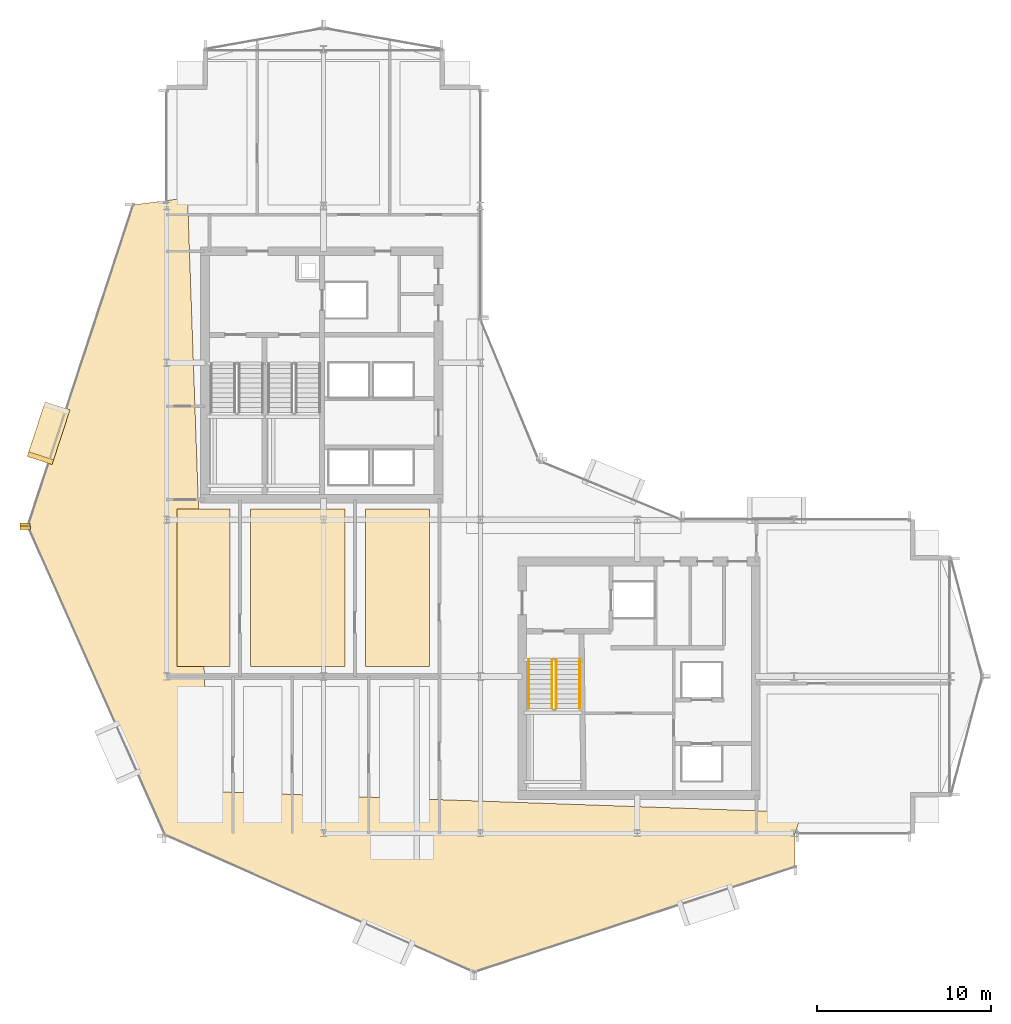
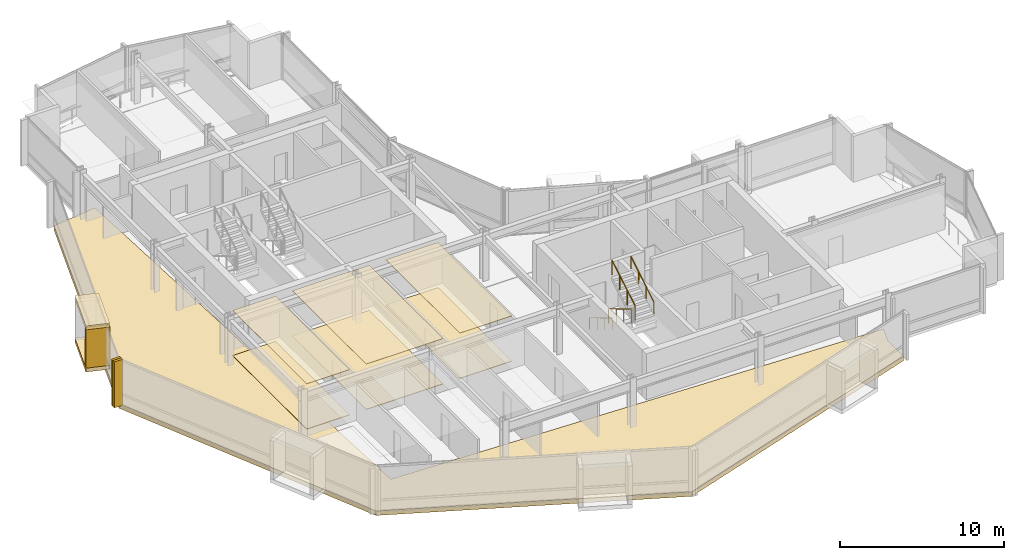
# One storey, part 25 of 28: 12 coverings, 4 railings.
"""IFC4 building model written with IfcOpenShell, lengths in metres."""

from ifc_helpers import new_model, si_unit, direction, frame, origin, origin_2d, place, context, subcontext, project, spatial, polyline, rectangle, circle, outline, extrude, material, layer, layer_set, type_object, element, save


model = new_model("IFC4")

# Units and contexts
model_context = context("Model", 3, precision=1e-05, world=origin(), true_north=direction((0.0, 1.0)))
body_context = subcontext(model_context, "Body", "Model", "MODEL_VIEW")
ifc_project = project(units=[si_unit("LENGTHUNIT", "METRE"), si_unit("AREAUNIT", "SQUARE_METRE"), si_unit("VOLUMEUNIT", "CUBIC_METRE"), si_unit("PLANEANGLEUNIT", "RADIAN"), si_unit("MASSUNIT", "GRAM", prefix="KILO")], contexts=[model_context])

# Site, building, storey
site_placement = place(None, origin())
site = spatial("IfcSite", under=ifc_project, at=site_placement, CompositionType="ELEMENT")
building_placement = place(site_placement, origin())
building = spatial("IfcBuilding", under=site, at=building_placement, Name="Solvaryn Broadcast Tower", CompositionType="ELEMENT")
storey_placement = place(building_placement, frame((0.0, 0.0, 158.10009765625)))
storey = spatial("IfcBuildingStorey", under=building, at=storey_placement, Name="L39", CompositionType="ELEMENT", Elevation=158.10009765625)

# Coverings
ifc_material_1 = material(Name="Micro-Perforated Acoustic Gypsum Ceiling", Category="concrete")
ifc_layer_1 = layer(ifc_material_1, 0.0400390625)
ifc_layer_set_1 = layer_set([ifc_layer_1], Name="CV-CEIL-ACOUSTIC")
covering_type_1 = type_object("IfcCoveringType", Name="CV-CEIL-ACOUSTIC", PredefinedType="CEILING", material=ifc_layer_set_1)
covering_1_placement = place(storey_placement, frame((0.0, 0.0, 3.3798828125)))
element("IfcCovering", 1, at=covering_1_placement, inside=storey, type_object=covering_type_1, Name="L39 Room Acoustic Ceiling 1", PredefinedType="CEILING", context=body_context, shape_type="SweptSolid", body=[
    extrude(outline(polyline([(9.60009765625, 18.570068359375), (12.6298828125, 18.570068359375), (12.6298828125, 27.60009765625), (9.60009765625, 27.60009765625), (9.60009765625, 18.570068359375)])), origin(), (0.0, 0.0, 1.0), 0.0400390625),
])
covering_2_placement = place(storey_placement, frame((0.0, 0.0, 3.3798828125)))
element("IfcCovering", 2, at=covering_2_placement, inside=storey, type_object=covering_type_1, Name="L39 Room Acoustic Ceiling 2", PredefinedType="CEILING", context=body_context, shape_type="SweptSolid", body=[
    extrude(outline(polyline([(13.800048828125, 18.570068359375), (19.22998046875, 18.570068359375), (19.22998046875, 27.60009765625), (13.800048828125, 27.60009765625), (13.800048828125, 18.570068359375)])), origin(), (0.0, 0.0, 1.0), 0.0400390625),
])
covering_3_placement = place(storey_placement, frame((0.0, 0.0, 3.3798828125)))
element("IfcCovering", 3, at=covering_3_placement, inside=storey, type_object=covering_type_1, Name="L39 Room Acoustic Ceiling 3", PredefinedType="CEILING", context=body_context, shape_type="SweptSolid", body=[
    extrude(outline(polyline([(20.39990234375, 18.570068359375), (24.080078125, 18.570068359375), (24.080078125, 27.60009765625), (20.39990234375, 27.60009765625), (20.39990234375, 18.570068359375)])), origin(), (0.0, 0.0, 1.0), 0.0400390625),
])
ifc_material_2 = material(Name="Newsroom Raised Data Access Flooring", Category="steel")
ifc_layer_2 = layer(ifc_material_2, 0.050048828125)
ifc_layer_set_2 = layer_set([ifc_layer_2], Name="CV-FLOOR-RAISED")
covering_type_2 = type_object("IfcCoveringType", Name="CV-FLOOR-RAISED", PredefinedType="FLOORING", material=ifc_layer_set_2)
covering_4_placement = place(storey_placement, origin())
element("IfcCovering", 4, at=covering_4_placement, inside=storey, type_object=covering_type_2, Name="L39 Room Acoustic Floor Finish 1", PredefinedType="FLOORING", context=body_context, shape_type="SweptSolid", body=[
    extrude(outline(polyline([(9.60009765625, 18.570068359375), (12.6298828125, 18.570068359375), (12.6298828125, 27.60009765625), (9.60009765625, 27.60009765625), (9.60009765625, 18.570068359375)])), origin(), (0.0, 0.0, 1.0), 0.0498046875),
])
covering_5_placement = place(storey_placement, origin())
element("IfcCovering", 5, at=covering_5_placement, inside=storey, type_object=covering_type_2, Name="L39 Room Acoustic Floor Finish 2", PredefinedType="FLOORING", context=body_context, shape_type="SweptSolid", body=[
    extrude(outline(polyline([(13.800048828125, 18.570068359375), (19.22998046875, 18.570068359375), (19.22998046875, 27.60009765625), (13.800048828125, 27.60009765625), (13.800048828125, 18.570068359375)])), origin(), (0.0, 0.0, 1.0), 0.0498046875),
])
covering_6_placement = place(storey_placement, origin())
element("IfcCovering", 6, at=covering_6_placement, inside=storey, type_object=covering_type_2, Name="L39 Room Acoustic Floor Finish 3", PredefinedType="FLOORING", context=body_context, shape_type="SweptSolid", body=[
    extrude(outline(polyline([(20.39990234375, 18.570068359375), (24.080078125, 18.570068359375), (24.080078125, 27.60009765625), (20.39990234375, 27.60009765625), (20.39990234375, 18.570068359375)])), origin(), (0.0, 0.0, 1.0), 0.0498046875),
])
ifc_material_3 = material(Name="Glazed Architectural Terracotta Rainscreen Cladding", Category="masonry")
ifc_layer_3 = layer(ifc_material_3, 0.280029296875)
ifc_layer_set_3 = layer_set([ifc_layer_3], Name="CV-TC-CLAD")
covering_type_3 = type_object("IfcCoveringType", Name="CV-TC-CLAD", PredefinedType="CLADDING", material=ifc_layer_set_3)
for number, where, z_axis, x_axis, name in (
    (7, (2.222900390625, 31.9619140625, 3.1298828125), (0.0, 0.0, 1.0), (-0.311671636848, -0.950189870912, 0.0), "L39 Projecting Stone Window Box Hood 1"),
    (8, (2.222900390625, 31.9619140625, -0.01025390625), (0.0, 0.0, 1.0), (-0.311671636848, -0.950189870912, 0.0), "L39 Projecting Stone Window Box Sill 1"),
):
    element("IfcCovering", number, at=place(storey_placement, frame(where, z_axis=z_axis, x_axis=x_axis)), inside=storey, type_object=covering_type_3, Name=name, PredefinedType="CLADDING", context=body_context, shape_type="SweptSolid", body=[
        extrude(rectangle(XDim=3.300048828125, YDim=1.5, at=origin_2d()), origin(), (0.0, 0.0, 1.0), 0.300048828125),
    ])
covering_7_placement = place(storey_placement, frame((1.75244140625, 30.527099609375, 0.27978515625), z_axis=(0.0, 0.0, 1.0), x_axis=(-0.311671636848, -0.950189870912, 0.0)))
element("IfcCovering", 9, at=covering_7_placement, inside=storey, type_object=covering_type_3, Name="L39 Projecting Stone Window Box Cheek 1-2", PredefinedType="CLADDING", context=body_context, shape_type="SweptSolid", body=[
    extrude(rectangle(XDim=0.280029296875, YDim=1.5, at=origin_2d()), origin(), (0.0, 0.0, 1.0), 2.860107421875),
])
ifc_material_4 = material(Name="Extruded Architectural Terracotta Fin", Category="masonry")
ifc_layer_4 = layer(ifc_material_4, 0.179931640625)
ifc_layer_set_4 = layer_set([ifc_layer_4], Name="CV-TC-FIN")
covering_type_4 = type_object("IfcCoveringType", Name="CV-TC-FIN", PredefinedType="USERDEFINED", material=ifc_layer_set_4)
for number, where, z_axis, x_axis, name in (
    (10, (0.872314453125, 26.720703125, 0.0), (0.0, 0.0, 1.0), (1.0, 0.0, 0.0), "L39 Terracotta Vertical Fin FIN-L39-DR1-M01"),
    (11, (0.8818359375, 26.535888671875, 0.0), (0.0, 0.0, 1.0), (1.0, 0.0, 0.0), "L39 Terracotta Vertical Fin FIN-L39-DR2-M00"),
):
    element("IfcCovering", number, at=place(storey_placement, frame(where, z_axis=z_axis, x_axis=x_axis)), inside=storey, type_object=covering_type_4, Name=name, ObjectType="FIN", PredefinedType="USERDEFINED", context=body_context, shape_type="SweptSolid", body=[
        extrude(rectangle(XDim=0.580078125, YDim=0.179931640625, at=origin_2d()), origin(), (0.0, 0.0, 1.0), 3.419921875),
    ])
ifc_material_5 = material(Name="Sculpted Architectural Terracotta Wave Fascia", Category="masonry")
ifc_layer_5 = layer(ifc_material_5, 0.340087890625)
ifc_layer_set_5 = layer_set([ifc_layer_5], Name="CV-WAVE-TRAY")
covering_type_5 = type_object("IfcCoveringType", Name="CV-WAVE-TRAY", PredefinedType="CLADDING", material=ifc_layer_set_5)
covering_8_placement = place(storey_placement, frame((0.0, 0.0, -0.300048828125)))
element("IfcCovering", 12, at=covering_8_placement, inside=storey, type_object=covering_type_5, Name="L39 Stepped Cylindrical Drum Floor Apron", PredefinedType="CLADDING", context=body_context, shape_type="SweptSolid", body=[
    extrude(outline(polyline([(10.199951171875, 45.467041015625), (7.0791015625, 45.06689453125), (1.033935546875, 26.635986328125), (8.907958984375, 8.907958984375), (26.635986328125, 1.033935546875), (45.06689453125, 7.0791015625), (45.06689453125, 9.0), (45.467041015625, 10.199951171875), (11.39990234375, 11.39990234375), (10.199951171875, 45.467041015625)])), origin(), (0.0, 0.0, 1.0), 0.329833984375),
])

# Railings
ifc_material_6 = material(Name="Painted Steel Stair Well Guard", Category="steel")
railing_type_1 = type_object("IfcRailingType", Name="RL-STAIR-GUARD", PredefinedType="BALUSTRADE", material=ifc_material_6)
railing_1_placement = place(storey_placement, frame((31.110107421875, 18.9599609375, 0.16796875)))
element("IfcRailing", 13, at=railing_1_placement, inside=storey, type_object=railing_type_1, Name="L39 ST3 stair guard 1", PredefinedType="BALUSTRADE", context=body_context, shape_type="SweptSolid", body=[
    extrude(circle(Radius=0.02392578125, at=origin_2d()), frame((0.0, 0.0, 1.076171875), z_axis=(0.0, -0.857242210791, 0.514913383045), x_axis=(1.0, 0.0, 0.0)), (0.0, 0.0, 1.0), 3.266357421875),
    extrude(circle(Radius=0.02099609375, at=origin_2d()), origin(), (0.0, 0.0, 1.0), 1.052001953125),
    extrude(circle(Radius=0.02099609375, at=origin_2d()), frame((0.0, -0.933349609375, 0.560546875)), (0.0, 0.0, 1.0), 1.052001953125),
    extrude(circle(Radius=0.02099609375, at=origin_2d()), frame((0.0, -1.86669921875, 1.121337890625)), (0.0, 0.0, 1.0), 1.052001953125),
    extrude(circle(Radius=0.02099609375, at=origin_2d()), frame((0.0, -2.800048828125, 1.681884765625)), (0.0, 0.0, 1.0), 1.052001953125),
])
railing_2_placement = place(storey_placement, frame((31.360107421875, 16.159912109375, 2.01806640625)))
element("IfcRailing", 14, at=railing_2_placement, inside=storey, type_object=railing_type_1, Name="L39 ST3 stair guard 3", PredefinedType="BALUSTRADE", context=body_context, shape_type="SweptSolid", body=[
    extrude(circle(Radius=0.02392578125, at=origin_2d()), frame((0.0, 0.0, 1.076171875), z_axis=(0.0, 0.857242210791, 0.514913383045), x_axis=(-1.0, 0.0, 0.0)), (0.0, 0.0, 1.0), 3.266357421875),
    extrude(circle(Radius=0.02099609375, at=origin_2d()), origin(), (0.0, 0.0, 1.0), 1.052001953125),
    extrude(circle(Radius=0.02099609375, at=origin_2d()), frame((0.0, 0.933349609375, 0.560546875)), (0.0, 0.0, 1.0), 1.052001953125),
    extrude(circle(Radius=0.02099609375, at=origin_2d()), frame((0.0, 1.86669921875, 1.121337890625)), (0.0, 0.0, 1.0), 1.052001953125),
    extrude(circle(Radius=0.02099609375, at=origin_2d()), frame((0.0, 2.800048828125, 1.681884765625)), (0.0, 0.0, 1.0), 1.052001953125),
])
ifc_material_7 = material(Name="Brushed Stainless Steel Tubular Handrail", Category="steel")
railing_type_2 = type_object("IfcRailingType", Name="RL-STAIR-HANDRAIL", PredefinedType="HANDRAIL", material=ifc_material_7)
railing_3_placement = place(storey_placement, frame((29.77001953125, 18.9599609375, 0.16796875)))
element("IfcRailing", 15, at=railing_3_placement, inside=storey, type_object=railing_type_2, Name="L39 ST3 stair handrail 1", PredefinedType="HANDRAIL", context=body_context, shape_type="SweptSolid", body=[
    extrude(circle(Radius=0.02392578125, at=origin_2d()), frame((0.0, 0.0, 0.8759765625), z_axis=(0.0, -0.857242210791, 0.514913383045), x_axis=(1.0, 0.0, 0.0)), (0.0, 0.0, 1.0), 3.266357421875),
    extrude(circle(Radius=0.02099609375, at=origin_2d()), origin(), (0.0, 0.0, 1.0), 0.851806640625),
    extrude(circle(Radius=0.02099609375, at=origin_2d()), frame((0.0, -0.933349609375, 0.560546875)), (0.0, 0.0, 1.0), 0.851806640625),
    extrude(circle(Radius=0.02099609375, at=origin_2d()), frame((0.0, -1.86669921875, 1.121337890625)), (0.0, 0.0, 1.0), 0.851806640625),
    extrude(circle(Radius=0.02099609375, at=origin_2d()), frame((0.0, -2.800048828125, 1.681884765625)), (0.0, 0.0, 1.0), 0.851806640625),
])
railing_4_placement = place(storey_placement, frame((32.699951171875, 16.159912109375, 2.01806640625)))
element("IfcRailing", 16, at=railing_4_placement, inside=storey, type_object=railing_type_2, Name="L39 ST3 stair handrail 2", PredefinedType="HANDRAIL", context=body_context, shape_type="SweptSolid", body=[
    extrude(circle(Radius=0.02392578125, at=origin_2d()), frame((0.0, 0.0, 0.8759765625), z_axis=(0.0, 0.857242210791, 0.514913383045), x_axis=(-1.0, 0.0, 0.0)), (0.0, 0.0, 1.0), 3.266357421875),
    extrude(circle(Radius=0.02099609375, at=origin_2d()), origin(), (0.0, 0.0, 1.0), 0.851806640625),
    extrude(circle(Radius=0.02099609375, at=origin_2d()), frame((0.0, 0.933349609375, 0.560546875)), (0.0, 0.0, 1.0), 0.851806640625),
    extrude(circle(Radius=0.02099609375, at=origin_2d()), frame((0.0, 1.86669921875, 1.121337890625)), (0.0, 0.0, 1.0), 0.851806640625),
    extrude(circle(Radius=0.02099609375, at=origin_2d()), frame((0.0, 2.800048828125, 1.681884765625)), (0.0, 0.0, 1.0), 0.851806640625),
])

save(model, "model.ifc")
